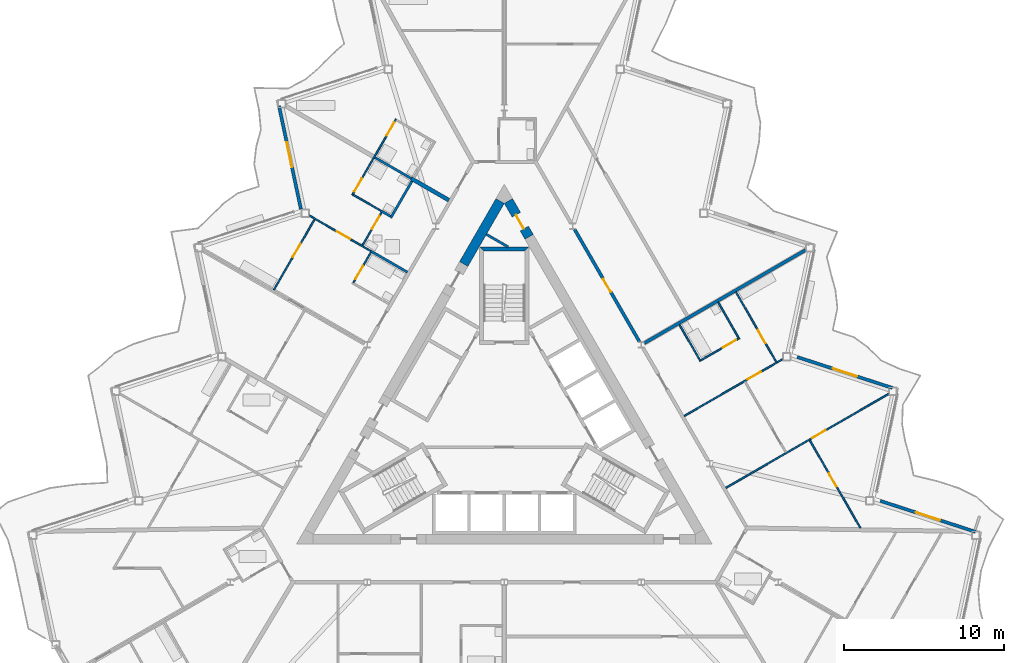
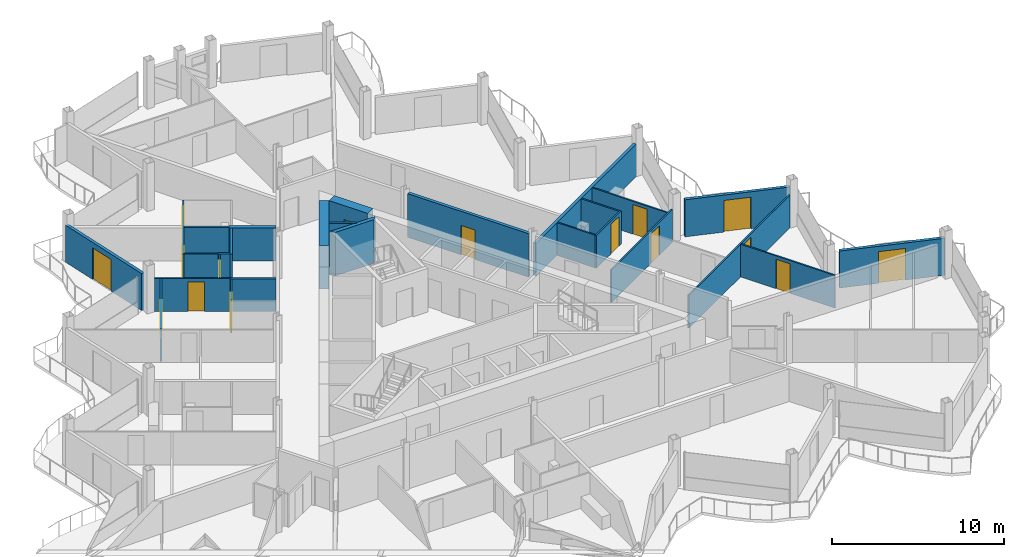
# One storey, part 16 of 26: 27 walls, 16 doors, 16 openings.
"""IFC4 building model written with IfcOpenShell, lengths in metres."""

from ifc_helpers import new_model, si_unit, direction, frame, frame_2d, origin, place, context, subcontext, project, spatial, polyline, rectangle, outline, extrude, material, layer, layer_set, type_object, element, fill, save


model = new_model("IFC4")

# Units and contexts
model_context = context("Model", 3, precision=1e-05, world=origin(), true_north=direction((0.0, 1.0)))
body_context = subcontext(model_context, "Body", "Model", "MODEL_VIEW")
ifc_project = project(units=[si_unit("LENGTHUNIT", "METRE"), si_unit("AREAUNIT", "SQUARE_METRE"), si_unit("VOLUMEUNIT", "CUBIC_METRE"), si_unit("PLANEANGLEUNIT", "RADIAN"), si_unit("MASSUNIT", "GRAM", prefix="KILO")], contexts=[model_context])

# Site, building, storey
site_placement = place(None, origin())
site = spatial("IfcSite", under=ifc_project, at=site_placement, CompositionType="ELEMENT")
building_placement = place(site_placement, origin())
building = spatial("IfcBuilding", under=site, at=building_placement, Name="Cormorant Prow Tower", CompositionType="ELEMENT")
storey_placement = place(building_placement, frame((0.0, 0.0, 388.199951171875)))
storey = spatial("IfcBuildingStorey", under=building, at=storey_placement, Name="L88", CompositionType="ELEMENT", Elevation=388.199951171875)

# Walls
ifc_material_1 = material(Name="Gypsum board partition")
ifc_layer_1 = layer(ifc_material_1, 0.14990234375)
ifc_layer_set_1 = layer_set([ifc_layer_1], Name="Gypsum board partition")
wall_type_1 = type_object("IfcWallType", Name="Core partition 150", PredefinedType="PARTITIONING", material=ifc_layer_set_1)
wall_1_placement = place(storey_placement, frame((-1.119140625, 11.872802734375, 0.0), z_axis=(0.0, 0.0, 1.0), x_axis=(0.865992812752, -0.500056445075, 0.0)))
element("IfcWall", 1, at=wall_1_placement, inside=storey, type_object=wall_type_1, Name="Service room partition", PredefinedType="PARTITIONING", context=body_context, shape_type="SweptSolid", body=[
    extrude(rectangle(XDim=1.581787109375, YDim=0.14990234375, at=frame_2d((0.791015625, 0.0))), origin(), (0.0, 0.0, 1.0), 3.10009765625),
])
ifc_material_2 = material(Name="Concrete 8000 psi", Category="concrete")
ifc_layer_2 = layer(ifc_material_2, 0.60009765625)
ifc_layer_set_2 = layer_set([ifc_layer_2], Name="Concrete 8000 psi")
wall_type_2 = type_object("IfcWallType", Name="Core shear wall 600", PredefinedType="SHEAR", material=ifc_layer_set_2)
wall_2_placement = place(storey_placement, frame((-0.259765625, 13.961181640625, 0.0), z_axis=(0.0, 0.0, 1.0), x_axis=(-0.499980485389, -0.866036670257, 0.0)))
element("IfcWall", 2, at=wall_2_placement, inside=storey, type_object=wall_type_2, Name="Core wall", PredefinedType="SHEAR", context=body_context, shape_type="SweptSolid", body=[
    extrude(rectangle(XDim=4.559326171875, YDim=0.60009765625, at=frame_2d((2.27978515625, 0.0))), origin(), (0.0, 0.0, 1.0), 3.10009765625),
])

# Wall, opening, door
wall_3_placement = place(storey_placement, frame((1.555908203125, 11.71630859375, 0.0), z_axis=(0.0, 0.0, 1.0), x_axis=(-0.500018667571, 0.866014625789, 0.0)))
wall_3 = element("IfcWall", 3, at=wall_3_placement, inside=storey, type_object=wall_type_2, Name="Core wall door panel", PredefinedType="SHEAR", context=body_context, shape_type="SweptSolid", body=[
    extrude(rectangle(XDim=2.59228515625, YDim=0.60009765625, at=frame_2d((1.296142578125, 0.0))), origin(), (0.0, 0.0, 1.0), 3.10009765625),
])
opening_1_placement = place(wall_3_placement, frame((0.60009765625, 0.0, 0.0)))
opening_1 = element("IfcOpeningElement", 4, at=opening_1_placement, cuts=wall_3, Name="Opening L88-C20", PredefinedType="OPENING", context=body_context, shape_type="SweptSolid", body=[
    extrude(rectangle(XDim=1.0, YDim=2.10009765625, at=frame_2d((0.5, 1.050048828125))), frame((0.0, 0.31005859375, 0.0), z_axis=(0.0, -1.0, 0.0), x_axis=(1.0, 0.0, 0.0)), (0.0, 0.0, 1.0), 0.6201171875),
])
ifc_material_3 = material(Name="Painted steel", Category="steel")
door_type_1 = type_object("IfcDoorType", Name="Service door 1000x2100", OperationType="NOTDEFINED", PredefinedType="DOOR", material=ifc_material_3)
door_1_placement = place(opening_1_placement, origin())
door_1 = element("IfcDoor", 5, at=door_1_placement, inside=storey, type_object=door_type_1, Name="Core door, Pantry store", OperationType="SINGLE_SWING_RIGHT", OverallHeight=2.10009765625, OverallWidth=1.0, PredefinedType="DOOR", context=body_context, shape_type="SweptSolid", body=[
    extrude(rectangle(XDim=1.0, YDim=2.10009765625, at=frame_2d((0.5, 1.050048828125))), frame((0.0, 0.05517578125, 0.0), z_axis=(0.0, -1.0, 0.0), x_axis=(1.0, 0.0, 0.0)), (0.0, 0.0, 1.0), 0.050048828125),
])
fill(opening_1, door_1)

ifc_material_4 = material(Name="Gypsum board corridor wall")
ifc_layer_3 = layer(ifc_material_4, 0.199951171875)
ifc_layer_set_3 = layer_set([ifc_layer_3], Name="Gypsum board corridor wall")
wall_type_3 = type_object("IfcWallType", Name="Corridor wall 200", PredefinedType="PARTITIONING", material=ifc_layer_set_3)
wall_4_placement = place(storey_placement, frame((4.403076171875, 12.184814453125, 0.0), z_axis=(0.0, 0.0, 1.0), x_axis=(0.499992155518, -0.866029932751, 0.0)))
wall_4 = element("IfcWall", 6, at=wall_4_placement, inside=storey, type_object=wall_type_3, Name="Corridor wall", PredefinedType="PARTITIONING", context=body_context, shape_type="SweptSolid", body=[
    extrude(rectangle(XDim=8.123291015625, YDim=0.199951171875, at=frame_2d((4.0615234375, 0.0))), origin(), (0.0, 0.0, 1.0), 3.10009765625),
])
opening_2_placement = place(wall_4_placement, frame((3.586669921875, 0.0, 0.0)))
opening_2 = element("IfcOpeningElement", 7, at=opening_2_placement, cuts=wall_4, Name="Opening L88-F23", PredefinedType="OPENING", context=body_context, shape_type="SweptSolid", body=[
    extrude(rectangle(XDim=0.949951171875, YDim=2.10009765625, at=frame_2d((0.47509765625, 1.050048828125))), frame((0.0, 0.10986328125, 0.0), z_axis=(0.0, -1.0, 0.0), x_axis=(1.0, 0.0, 0.0)), (0.0, 0.0, 1.0), 0.219970703125),
])
ifc_material_5 = material(Name="Timber door leaf", Category="wood")
door_type_2 = type_object("IfcDoorType", Name="Store door 950x2100", OperationType="NOTDEFINED", PredefinedType="DOOR", material=ifc_material_5)
door_2_placement = place(opening_2_placement, origin())
door_2 = element("IfcDoor", 8, at=door_2_placement, inside=storey, type_object=door_type_2, Name="Refuse room door", OperationType="SINGLE_SWING_LEFT", OverallHeight=2.10009765625, OverallWidth=0.949951171875, PredefinedType="DOOR", context=body_context, shape_type="SweptSolid", body=[
    extrude(rectangle(XDim=0.949951171875, YDim=2.10009765625, at=frame_2d((0.47509765625, 1.050048828125))), frame((0.0, 0.02490234375, 0.0), z_axis=(0.0, -1.0, 0.0), x_axis=(1.0, 0.0, 0.0)), (0.0, 0.0, 1.0), 0.050048828125),
])
fill(opening_2, door_2)

# Wall
ifc_material_6 = material(Name="Gypsum board demising wall")
ifc_layer_4 = layer(ifc_material_6, 0.199951171875)
ifc_layer_set_4 = layer_set([ifc_layer_4], Name="Gypsum board demising wall")
wall_type_4 = type_object("IfcWallType", Name="Demising wall 200", PredefinedType="PARTITIONING", material=ifc_layer_set_4)
wall_5_placement = place(storey_placement, frame((8.775390625, 5.06640625, 0.0), z_axis=(0.0, 0.0, 1.0), x_axis=(0.866023724155, 0.500002909193, 0.0)))
element("IfcWall", 9, at=wall_5_placement, inside=storey, type_object=wall_type_4, Name="Demising wall", PredefinedType="PARTITIONING", context=body_context, shape_type="SweptSolid", body=[
    extrude(rectangle(XDim=11.65478515625, YDim=0.199951171875, at=frame_2d((5.827392578125, 0.0))), origin(), (0.0, 0.0, 1.0), 2.330078125),
])

# Wall, opening, door
ifc_material_7 = material(Name="Gypsum board partition")
ifc_layer_5 = layer(ifc_material_7, 0.10009765625)
ifc_layer_set_5 = layer_set([ifc_layer_5], Name="Gypsum board partition")
wall_type_5 = type_object("IfcWallType", Name="Internal partition 100", PredefinedType="PARTITIONING", material=ifc_layer_set_5)
wall_6_placement = place(storey_placement, frame((13.864990234375, -4.00390625, 0.0), z_axis=(0.0, 0.0, 1.0), x_axis=(0.866023404247, 0.500003463284, 0.0)))
wall_6 = element("IfcWall", 10, at=wall_6_placement, inside=storey, type_object=wall_type_5, Name="Internal partition", PredefinedType="PARTITIONING", context=body_context, shape_type="SweptSolid", body=[
    extrude(rectangle(XDim=11.7822265625, YDim=0.10009765625, at=frame_2d((5.89111328125, 0.0))), origin(), (0.0, 0.0, 1.0), 2.330078125),
])
opening_3_placement = place(wall_6_placement, frame((6.2685546875, 0.0, 0.0)))
opening_3 = element("IfcOpeningElement", 11, at=opening_3_placement, cuts=wall_6, Name="Opening L88-F21", PredefinedType="OPENING", context=body_context, shape_type="SweptSolid", body=[
    extrude(rectangle(XDim=0.949951171875, YDim=2.10009765625, at=frame_2d((0.47509765625, 1.050048828125))), frame((0.0, 0.06005859375, 0.0), z_axis=(0.0, -1.0, 0.0), x_axis=(1.0, 0.0, 0.0)), (0.0, 0.0, 1.0), 0.1201171875),
])
ifc_material_8 = material(Name="Timber door leaf", Category="wood")
door_type_3 = type_object("IfcDoorType", Name="Bathroom door 950x2100", OperationType="NOTDEFINED", PredefinedType="DOOR", material=ifc_material_8)
door_3_placement = place(opening_3_placement, origin())
door_3 = element("IfcDoor", 12, at=door_3_placement, inside=storey, type_object=door_type_3, Name="Bedroom door", OperationType="SINGLE_SWING_LEFT", OverallHeight=2.10009765625, OverallWidth=0.949951171875, PredefinedType="DOOR", context=body_context, shape_type="SweptSolid", body=[
    extrude(rectangle(XDim=0.949951171875, YDim=2.10009765625, at=frame_2d((0.47509765625, 1.050048828125))), frame((0.0, 0.02490234375, 0.0), z_axis=(0.0, -1.0, 0.0), x_axis=(1.0, 0.0, 0.0)), (0.0, 0.0, 1.0), 0.050048828125),
])
fill(opening_3, door_3)

wall_7_placement = place(storey_placement, frame((11.26513671875, 0.49951171875, 0.0), z_axis=(0.0, 0.0, 1.0), x_axis=(0.866033839264, 0.499985389037, 0.0)))
wall_7 = element("IfcWall", 13, at=wall_7_placement, inside=storey, type_object=wall_type_5, Name="Internal partition", PredefinedType="PARTITIONING", context=body_context, shape_type="SweptSolid", body=[
    extrude(rectangle(XDim=7.099853515625, YDim=0.10009765625, at=frame_2d((3.5498046875, 0.0))), origin(), (0.0, 0.0, 1.0), 2.330078125),
])
opening_4_placement = place(wall_7_placement, frame((4.58837890625, 0.0, 0.0)))
opening_4 = element("IfcOpeningElement", 14, at=opening_4_placement, cuts=wall_7, Name="Opening L88-F19", PredefinedType="OPENING", context=body_context, shape_type="SweptSolid", body=[
    extrude(rectangle(XDim=0.949951171875, YDim=2.10009765625, at=frame_2d((0.47509765625, 1.050048828125))), frame((0.0, 0.06005859375, 0.0), z_axis=(0.0, -1.0, 0.0), x_axis=(1.0, 0.0, 0.0)), (0.0, 0.0, 1.0), 0.1201171875),
])
door_4_placement = place(opening_4_placement, origin())
door_4 = element("IfcDoor", 15, at=door_4_placement, inside=storey, type_object=door_type_3, Name="Living room door", OperationType="SINGLE_SWING_LEFT", OverallHeight=2.10009765625, OverallWidth=0.949951171875, PredefinedType="DOOR", context=body_context, shape_type="SweptSolid", body=[
    extrude(rectangle(XDim=0.949951171875, YDim=2.10009765625, at=frame_2d((0.47509765625, 1.050048828125))), frame((0.0, 0.02490234375, 0.0), z_axis=(0.0, -1.0, 0.0), x_axis=(1.0, 0.0, 0.0)), (0.0, 0.0, 1.0), 0.050048828125),
])
fill(opening_4, door_4)

wall_8_placement = place(storey_placement, frame((19.12841796875, -1.022705078125, 0.0), z_axis=(0.0, 0.0, 1.0), x_axis=(0.499991387631, -0.866030376081, 0.0)))
wall_8 = element("IfcWall", 16, at=wall_8_placement, inside=storey, type_object=wall_type_5, Name="Internal partition", PredefinedType="PARTITIONING", context=body_context, shape_type="SweptSolid", body=[
    extrude(rectangle(XDim=6.3388671875, YDim=0.10009765625, at=frame_2d((3.16943359375, 0.0))), origin(), (0.0, 0.0, 1.0), 2.330078125),
])
opening_5_placement = place(wall_8_placement, frame((2.388916015625, 0.0, 0.0)))
opening_5 = element("IfcOpeningElement", 17, at=opening_5_placement, cuts=wall_8, Name="Opening L88-F22", PredefinedType="OPENING", context=body_context, shape_type="SweptSolid", body=[
    extrude(rectangle(XDim=0.949951171875, YDim=2.10009765625, at=frame_2d((0.47509765625, 1.050048828125))), frame((0.0, 0.06005859375, 0.0), z_axis=(0.0, -1.0, 0.0), x_axis=(1.0, 0.0, 0.0)), (0.0, 0.0, 1.0), 0.1201171875),
])
door_5_placement = place(opening_5_placement, origin())
door_5 = element("IfcDoor", 18, at=door_5_placement, inside=storey, type_object=door_type_3, Name="Bedroom door", OperationType="SINGLE_SWING_LEFT", OverallHeight=2.10009765625, OverallWidth=0.949951171875, PredefinedType="DOOR", context=body_context, shape_type="SweptSolid", body=[
    extrude(rectangle(XDim=0.949951171875, YDim=2.10009765625, at=frame_2d((0.47509765625, 1.050048828125))), frame((0.0, 0.02490234375, 0.0), z_axis=(0.0, -1.0, 0.0), x_axis=(1.0, 0.0, 0.0)), (0.0, 0.0, 1.0), 0.050048828125),
])
fill(opening_5, door_5)

# Wall, openings, doors
wall_9_placement = place(storey_placement, frame((-9.5166015625, 14.327880859375, 0.0), z_axis=(0.0, 0.0, 1.0), x_axis=(0.499996545922, 0.866027397988, 0.0)))
wall_9 = element("IfcWall", 19, at=wall_9_placement, inside=storey, type_object=wall_type_5, Name="Internal partition", PredefinedType="PARTITIONING", context=body_context, shape_type="SweptSolid", body=[
    extrude(rectangle(XDim=5.5, YDim=0.10009765625, at=frame_2d((2.75, 0.0))), origin(), (0.0, 0.0, 1.0), 2.330078125),
])
opening_6_placement = place(wall_9_placement, frame((4.300048828125, 0.0, 0.0)))
opening_6 = element("IfcOpeningElement", 20, at=opening_6_placement, cuts=wall_9, Name="Opening L88-F32", PredefinedType="OPENING", context=body_context, shape_type="SweptSolid", body=[
    extrude(rectangle(XDim=0.949951171875, YDim=2.10009765625, at=frame_2d((0.47509765625, 1.050048828125))), frame((0.0, 0.06005859375, 0.0), z_axis=(0.0, -1.0, 0.0), x_axis=(1.0, 0.0, 0.0)), (0.0, 0.0, 1.0), 0.1201171875),
])
opening_7_placement = place(wall_9_placement, frame((0.25, 0.0, 0.0)))
opening_7 = element("IfcOpeningElement", 21, at=opening_7_placement, cuts=wall_9, Name="Opening L88-F40", PredefinedType="OPENING", context=body_context, shape_type="SweptSolid", body=[
    extrude(rectangle(XDim=0.949951171875, YDim=2.10009765625, at=frame_2d((0.47509765625, 1.050048828125))), frame((0.0, 0.06005859375, 0.0), z_axis=(0.0, -1.0, 0.0), x_axis=(1.0, 0.0, 0.0)), (0.0, 0.0, 1.0), 0.1201171875),
])
door_6_placement = place(opening_6_placement, origin())
door_6 = element("IfcDoor", 22, at=door_6_placement, inside=storey, type_object=door_type_3, Name="Studio living, kitchen and sleeping room door", OperationType="SINGLE_SWING_RIGHT", OverallHeight=2.10009765625, OverallWidth=0.949951171875, PredefinedType="DOOR", context=body_context, shape_type="SweptSolid", body=[
    extrude(rectangle(XDim=0.949951171875, YDim=2.10009765625, at=frame_2d((0.47509765625, 1.050048828125))), frame((0.0, 0.02490234375, 0.0), z_axis=(0.0, -1.0, 0.0), x_axis=(1.0, 0.0, 0.0)), (0.0, 0.0, 1.0), 0.050048828125),
])
fill(opening_6, door_6)
door_7_placement = place(opening_7_placement, origin())
door_7 = element("IfcDoor", 23, at=door_7_placement, inside=storey, type_object=door_type_3, Name="Bedroom door", OperationType="SINGLE_SWING_LEFT", OverallHeight=2.10009765625, OverallWidth=0.949951171875, PredefinedType="DOOR", context=body_context, shape_type="SweptSolid", body=[
    extrude(rectangle(XDim=0.949951171875, YDim=2.10009765625, at=frame_2d((0.47509765625, 1.050048828125))), frame((0.0, 0.02490234375, 0.0), z_axis=(0.0, -1.0, 0.0), x_axis=(1.0, 0.0, 0.0)), (0.0, 0.0, 1.0), 0.050048828125),
])
fill(opening_7, door_7)

# Wall, opening, door
wall_10_placement = place(storey_placement, frame((14.503173828125, 8.258056640625, 0.0), z_axis=(0.0, 0.0, 1.0), x_axis=(0.500012591307, -0.866018134068, 0.0)))
wall_10 = element("IfcWall", 24, at=wall_10_placement, inside=storey, type_object=wall_type_5, Name="Internal partition", PredefinedType="PARTITIONING", context=body_context, shape_type="SweptSolid", body=[
    extrude(rectangle(XDim=5.050048828125, YDim=0.10009765625, at=frame_2d((2.52490234375, 0.0))), origin(), (0.0, 0.0, 1.0), 2.330078125),
])
opening_8_placement = place(wall_10_placement, frame((2.75, 0.0, 0.0)))
opening_8 = element("IfcOpeningElement", 25, at=opening_8_placement, cuts=wall_10, Name="Opening L88-F18", PredefinedType="OPENING", context=body_context, shape_type="SweptSolid", body=[
    extrude(rectangle(XDim=0.949951171875, YDim=2.10009765625, at=frame_2d((0.47509765625, 1.050048828125))), frame((0.0, 0.06005859375, 0.0), z_axis=(0.0, -1.0, 0.0), x_axis=(1.0, 0.0, 0.0)), (0.0, 0.0, 1.0), 0.1201171875),
])
door_8_placement = place(opening_8_placement, origin())
door_8 = element("IfcDoor", 26, at=door_8_placement, inside=storey, type_object=door_type_3, Name="Living room door", OperationType="SINGLE_SWING_RIGHT", OverallHeight=2.10009765625, OverallWidth=0.949951171875, PredefinedType="DOOR", context=body_context, shape_type="SweptSolid", body=[
    extrude(rectangle(XDim=0.949951171875, YDim=2.10009765625, at=frame_2d((0.47509765625, 1.050048828125))), frame((0.0, 0.02490234375, 0.0), z_axis=(0.0, -1.0, 0.0), x_axis=(1.0, 0.0, 0.0)), (0.0, 0.0, 1.0), 0.050048828125),
])
fill(opening_8, door_8)

wall_11_placement = place(storey_placement, frame((-14.42822265625, 8.387939453125, 0.0), z_axis=(0.0, 0.0, 1.0), x_axis=(0.500005610874, 0.86602216432, 0.0)))
wall_11 = element("IfcWall", 27, at=wall_11_placement, inside=storey, type_object=wall_type_5, Name="Internal partition", PredefinedType="PARTITIONING", context=body_context, shape_type="SweptSolid", body=[
    extrude(rectangle(XDim=5.10009765625, YDim=0.10009765625, at=frame_2d((2.550048828125, 0.0))), origin(), (0.0, 0.0, 1.0), 2.330078125),
])
opening_9_placement = place(wall_11_placement, frame((2.379150390625, 0.0, 0.0)))
opening_9 = element("IfcOpeningElement", 28, at=opening_9_placement, cuts=wall_11, Name="Opening L88-F35", PredefinedType="OPENING", context=body_context, shape_type="SweptSolid", body=[
    extrude(rectangle(XDim=0.949951171875, YDim=2.10009765625, at=frame_2d((0.47509765625, 1.050048828125))), frame((0.0, 0.06005859375, 0.0), z_axis=(0.0, -1.0, 0.0), x_axis=(1.0, 0.0, 0.0)), (0.0, 0.0, 1.0), 0.1201171875),
])
door_9_placement = place(opening_9_placement, origin())
door_9 = element("IfcDoor", 29, at=door_9_placement, inside=storey, type_object=door_type_3, Name="Living room door", OperationType="SINGLE_SWING_LEFT", OverallHeight=2.10009765625, OverallWidth=0.949951171875, PredefinedType="DOOR", context=body_context, shape_type="SweptSolid", body=[
    extrude(rectangle(XDim=0.949951171875, YDim=2.10009765625, at=frame_2d((0.47509765625, 1.050048828125))), frame((0.0, 0.02490234375, 0.0), z_axis=(0.0, -1.0, 0.0), x_axis=(1.0, 0.0, 0.0)), (0.0, 0.0, 1.0), 0.050048828125),
])
fill(opening_9, door_9)

wall_12_placement = place(storey_placement, frame((-12.2138671875, 13.05615234375, 0.0), z_axis=(0.0, 0.0, 1.0), x_axis=(0.866017452598, -0.500013771606, 0.0)))
wall_12 = element("IfcWall", 30, at=wall_12_placement, inside=storey, type_object=wall_type_5, Name="Internal partition", PredefinedType="PARTITIONING", context=body_context, shape_type="SweptSolid", body=[
    extrude(rectangle(XDim=4.42529296875, YDim=0.10009765625, at=frame_2d((2.212646484375, 0.0))), origin(), (0.0, 0.0, 1.0), 2.330078125),
])
opening_10_placement = place(wall_12_placement, frame((1.993896484375, 0.0, 0.0)))
opening_10 = element("IfcOpeningElement", 31, at=opening_10_placement, cuts=wall_12, Name="Opening L88-F36", PredefinedType="OPENING", context=body_context, shape_type="SweptSolid", body=[
    extrude(rectangle(XDim=0.949951171875, YDim=2.10009765625, at=frame_2d((0.47509765625, 1.050048828125))), frame((0.0, 0.06005859375, 0.0), z_axis=(0.0, -1.0, 0.0), x_axis=(1.0, 0.0, 0.0)), (0.0, 0.0, 1.0), 0.1201171875),
])
door_10_placement = place(opening_10_placement, origin())
door_10 = element("IfcDoor", 32, at=door_10_placement, inside=storey, type_object=door_type_3, Name="Living room door", OperationType="SINGLE_SWING_RIGHT", OverallHeight=2.10009765625, OverallWidth=0.949951171875, PredefinedType="DOOR", context=body_context, shape_type="SweptSolid", body=[
    extrude(rectangle(XDim=0.949951171875, YDim=2.10009765625, at=frame_2d((0.47509765625, 1.050048828125))), frame((0.0, 0.02490234375, 0.0), z_axis=(0.0, -1.0, 0.0), x_axis=(1.0, 0.0, 0.0)), (0.0, 0.0, 1.0), 0.050048828125),
])
fill(opening_10, door_10)

wall_13_placement = place(storey_placement, frame((12.223388671875, 3.939453125, 0.0), z_axis=(0.0, 0.0, 1.0), x_axis=(0.866032775405, 0.499987231761, 0.0)))
wall_13 = element("IfcWall", 33, at=wall_13_placement, inside=storey, type_object=wall_type_5, Name="Internal partition", PredefinedType="PARTITIONING", context=body_context, shape_type="SweptSolid", body=[
    extrude(rectangle(XDim=2.89990234375, YDim=0.10009765625, at=frame_2d((1.449951171875, 0.0))), origin(), (0.0, 0.0, 1.0), 2.330078125),
])
opening_11_placement = place(wall_13_placement, frame((1.699951171875, 0.0, 0.0)))
opening_11 = element("IfcOpeningElement", 34, at=opening_11_placement, cuts=wall_13, Name="Opening L88-F17", PredefinedType="OPENING", context=body_context, shape_type="SweptSolid", body=[
    extrude(rectangle(XDim=0.949951171875, YDim=2.10009765625, at=frame_2d((0.47509765625, 1.050048828125))), frame((0.0, 0.06005859375, 0.0), z_axis=(0.0, -1.0, 0.0), x_axis=(1.0, 0.0, 0.0)), (0.0, 0.0, 1.0), 0.1201171875),
])
door_11_placement = place(opening_11_placement, origin())
door_11 = element("IfcDoor", 35, at=door_11_placement, inside=storey, type_object=door_type_3, Name="Living room door", OperationType="SINGLE_SWING_RIGHT", OverallHeight=2.10009765625, OverallWidth=0.949951171875, PredefinedType="DOOR", context=body_context, shape_type="SweptSolid", body=[
    extrude(rectangle(XDim=0.949951171875, YDim=2.10009765625, at=frame_2d((0.47509765625, 1.050048828125))), frame((0.0, 0.02490234375, 0.0), z_axis=(0.0, -1.0, 0.0), x_axis=(1.0, 0.0, 0.0)), (0.0, 0.0, 1.0), 0.050048828125),
])
fill(opening_11, door_11)

# Walls
for number, where, z_axis, x_axis, name in (
    (36, (10.966796875, 6.21630859375, 0.0), (0.0, 0.0, 1.0), (0.499948979701, -0.866054858364, 0.0), "Internal partition"),
    (37, (13.3916015625, 7.6162109375, 0.0), (0.0, 0.0, 1.0), (0.499948979701, -0.866054858364, 0.0), "Internal partition"),
):
    element("IfcWall", number, at=place(storey_placement, frame(where, z_axis=z_axis, x_axis=x_axis)), inside=storey, type_object=wall_type_5, Name=name, PredefinedType="PARTITIONING", context=body_context, shape_type="SweptSolid", body=[
        extrude(rectangle(XDim=2.550048828125, YDim=0.10009765625, at=frame_2d((1.27490234375, 0.0))), origin(), (0.0, 0.0, 1.0), 2.330078125),
    ])

# Wall, opening, door
wall_14_placement = place(storey_placement, frame((-8.871826171875, 11.184326171875, 0.0), z_axis=(0.0, 0.0, 1.0), x_axis=(0.499986429846, 0.866033238375, 0.0)))
wall_14 = element("IfcWall", 38, at=wall_14_placement, inside=storey, type_object=wall_type_5, Name="Internal partition", PredefinedType="PARTITIONING", context=body_context, shape_type="SweptSolid", body=[
    extrude(rectangle(XDim=2.375, YDim=0.10009765625, at=frame_2d((1.1875, 0.0))), origin(), (0.0, 0.0, 1.0), 2.330078125),
])
opening_12_placement = place(wall_14_placement, frame((1.175048828125, 0.0, 0.0)))
opening_12 = element("IfcOpeningElement", 39, at=opening_12_placement, cuts=wall_14, Name="Opening L88-F37", PredefinedType="OPENING", context=body_context, shape_type="SweptSolid", body=[
    extrude(rectangle(XDim=0.949951171875, YDim=2.10009765625, at=frame_2d((0.47509765625, 1.050048828125))), frame((0.0, 0.06005859375, 0.0), z_axis=(0.0, -1.0, 0.0), x_axis=(1.0, 0.0, 0.0)), (0.0, 0.0, 1.0), 0.1201171875),
])
door_12_placement = place(opening_12_placement, origin())
door_12 = element("IfcDoor", 40, at=door_12_placement, inside=storey, type_object=door_type_3, Name="Bedroom door", OperationType="SINGLE_SWING_RIGHT", OverallHeight=2.10009765625, OverallWidth=0.949951171875, PredefinedType="DOOR", context=body_context, shape_type="SweptSolid", body=[
    extrude(rectangle(XDim=0.949951171875, YDim=2.10009765625, at=frame_2d((0.47509765625, 1.050048828125))), frame((0.0, 0.02490234375, 0.0), z_axis=(0.0, -1.0, 0.0), x_axis=(1.0, 0.0, 0.0)), (0.0, 0.0, 1.0), 0.050048828125),
])
fill(opening_12, door_12)

wall_15_placement = place(storey_placement, frame((-9.441650390625, 8.857666015625, 0.0), z_axis=(0.0, 0.0, 1.0), x_axis=(0.499978335414, 0.866037911478, 0.0)))
wall_15 = element("IfcWall", 41, at=wall_15_placement, inside=storey, type_object=wall_type_5, Name="Internal partition", PredefinedType="PARTITIONING", context=body_context, shape_type="SweptSolid", body=[
    extrude(rectangle(XDim=2.1748046875, YDim=0.10009765625, at=frame_2d((1.08740234375, 0.0))), origin(), (0.0, 0.0, 1.0), 2.330078125),
])
opening_13_placement = place(wall_15_placement, frame((0.25, 0.0, 0.0)))
opening_13 = element("IfcOpeningElement", 42, at=opening_13_placement, cuts=wall_15, Name="Opening L88-F34", PredefinedType="OPENING", context=body_context, shape_type="SweptSolid", body=[
    extrude(rectangle(XDim=0.949951171875, YDim=2.10009765625, at=frame_2d((0.47509765625, 1.050048828125))), frame((0.0, 0.06005859375, 0.0), z_axis=(0.0, -1.0, 0.0), x_axis=(1.0, 0.0, 0.0)), (0.0, 0.0, 1.0), 0.1201171875),
])
door_13_placement = place(opening_13_placement, origin())
door_13 = element("IfcDoor", 43, at=door_13_placement, inside=storey, type_object=door_type_3, Name="Living room door", OperationType="SINGLE_SWING_LEFT", OverallHeight=2.10009765625, OverallWidth=0.949951171875, PredefinedType="DOOR", context=body_context, shape_type="SweptSolid", body=[
    extrude(rectangle(XDim=0.949951171875, YDim=2.10009765625, at=frame_2d((0.47509765625, 1.050048828125))), frame((0.0, 0.02490234375, 0.0), z_axis=(0.0, -1.0, 0.0), x_axis=(1.0, 0.0, 0.0)), (0.0, 0.0, 1.0), 0.050048828125),
])
fill(opening_13, door_13)

# Walls
wall_16_placement = place(storey_placement, frame((-9.4482421875, 14.34619140625, 0.0), z_axis=(0.0, 0.0, 1.0), x_axis=(0.866020521143, -0.500008456887, 0.0)))
element("IfcWall", 44, at=wall_16_placement, inside=storey, type_object=wall_type_5, Name="Internal partition", PredefinedType="PARTITIONING", context=body_context, shape_type="SweptSolid", body=[
    extrude(rectangle(XDim=1.9951171875, YDim=0.10009765625, at=frame_2d((0.99755859375, 0.0))), origin(), (0.0, 0.0, 1.0), 2.330078125),
])
ifc_material_9 = material(Name="Concrete 8000 psi", Category="concrete")
ifc_layer_6 = layer(ifc_material_9, 0.25)
ifc_layer_set_6 = layer_set([ifc_layer_6], Name="Concrete 8000 psi")
wall_type_6 = type_object("IfcWallType", Name="Stair wall 250", PredefinedType="SHEAR", material=ifc_layer_set_6)
wall_17_placement = place(storey_placement, origin())
element("IfcWall", 45, at=wall_17_placement, inside=storey, type_object=wall_type_6, Name="Stair ST3 enclosure wall (end)", PredefinedType="SHEAR", context=body_context, shape_type="SweptSolid", body=[
    extrude(outline(polyline([(1.5439453125, 11.0869140625), (-1.5439453125, 11.0869140625), (-1.2939453125, 10.8369140625), (1.2939453125, 10.8369140625), (1.5439453125, 11.0869140625)])), origin(), (0.0, 0.0, 1.0), 3.10009765625),
])
ifc_material_10 = material(Name="Acoustic gypsum party wall")
ifc_layer_7 = layer(ifc_material_10, 0.25)
ifc_layer_set_7 = layer_set([ifc_layer_7], Name="Acoustic gypsum party wall")
wall_type_7 = type_object("IfcWallType", Name="Suite party wall 250", PredefinedType="PARTITIONING", material=ifc_layer_set_7)
wall_18_placement = place(storey_placement, frame((-5.824951171875, 15.371826171875, 0.0), z_axis=(0.0, 0.0, 1.0), x_axis=(0.866051307416, -0.49995513091, 0.0)))
element("IfcWall", 46, at=wall_18_placement, inside=storey, type_object=wall_type_7, Name="Suite party wall", PredefinedType="PARTITIONING", context=body_context, shape_type="SweptSolid", body=[
    extrude(rectangle(XDim=2.724853515625, YDim=0.25, at=frame_2d((1.3623046875, 0.0))), origin(), (0.0, 0.0, 1.0), 2.330078125),
])

# Wall, opening, door
ifc_material_11 = material(Name="Terracotta", Category="masonry")
ifc_layer_8 = layer(ifc_material_11, 0.199951171875)
ifc_layer_set_8 = layer_set([ifc_layer_8], Name="Terracotta")
wall_type_8 = type_object("IfcWallType", Name="Terracotta jamb wall 200", PredefinedType="SOLIDWALL", material=ifc_layer_set_8)
wall_19_placement = place(storey_placement, frame((29.49951171875, -6.74951171875, 0.0), z_axis=(0.0, 0.0, 1.0), x_axis=(-0.951060123915, 0.309005891041, 0.0)))
wall_19 = element("IfcWall", 47, at=wall_19_placement, inside=storey, type_object=wall_type_8, Name="Terracotta jamb wall ENE01", PredefinedType="SOLIDWALL", context=body_context, shape_type="SweptSolid", body=[
    extrude(rectangle(XDim=6.265380859375, YDim=0.199951171875, at=frame_2d((3.1328125, 0.0))), origin(), (0.0, 0.0, 1.0), 2.634033203125),
])
opening_14_placement = place(wall_19_placement, frame((2.332763671875, 0.0, 0.0)))
opening_14 = element("IfcOpeningElement", 48, at=opening_14_placement, cuts=wall_19, Name="Opening ED88.06", PredefinedType="OPENING", context=body_context, shape_type="SweptSolid", body=[
    extrude(rectangle(XDim=1.60009765625, YDim=2.25, at=frame_2d((0.800048828125, 1.125))), frame((0.0, 0.10986328125, 0.0), z_axis=(0.0, -1.0, 0.0), x_axis=(1.0, 0.0, 0.0)), (0.0, 0.0, 1.0), 0.219970703125),
])
ifc_material_12 = material(Name="Aluminium 6063-T6", Category="aluminium")
door_type_4 = type_object("IfcDoorType", Name="Balcony door 1600x2250", OperationType="DOUBLE_DOOR_SINGLE_SWING", PredefinedType="DOOR", material=ifc_material_12)
door_14_placement = place(opening_14_placement, origin())
door_14 = element("IfcDoor", 49, at=door_14_placement, inside=storey, type_object=door_type_4, Name="Balcony door ENE01 ED88.06", OperationType="DOUBLE_DOOR_SINGLE_SWING", OverallHeight=2.25, OverallWidth=1.60009765625, PredefinedType="DOOR", context=body_context, shape_type="SweptSolid", body=[
    extrude(rectangle(XDim=1.60009765625, YDim=2.25, at=frame_2d((0.800048828125, 1.125))), frame((0.0, 0.02490234375, 0.0), z_axis=(0.0, -1.0, 0.0), x_axis=(1.0, 0.0, 0.0)), (0.0, 0.0, 1.0), 0.050048828125),
])
fill(opening_14, door_14)

wall_20_placement = place(storey_placement, frame((24.299560546875, 2.25732421875, 0.0), z_axis=(0.0, 0.0, 1.0), x_axis=(-0.951060123915, 0.309005891041, 0.0)))
wall_20 = element("IfcWall", 50, at=wall_20_placement, inside=storey, type_object=wall_type_8, Name="Terracotta jamb wall ENE03", PredefinedType="SOLIDWALL", context=body_context, shape_type="SweptSolid", body=[
    extrude(rectangle(XDim=6.265380859375, YDim=0.199951171875, at=frame_2d((3.1328125, 0.0))), origin(), (0.0, 0.0, 1.0), 2.634033203125),
])
opening_15_placement = place(wall_20_placement, frame((2.332763671875, 0.0, 0.0)))
opening_15 = element("IfcOpeningElement", 51, at=opening_15_placement, cuts=wall_20, Name="Opening ED88.07", PredefinedType="OPENING", context=body_context, shape_type="SweptSolid", body=[
    extrude(rectangle(XDim=1.60009765625, YDim=2.25, at=frame_2d((0.800048828125, 1.125))), frame((0.0, 0.10986328125, 0.0), z_axis=(0.0, -1.0, 0.0), x_axis=(1.0, 0.0, 0.0)), (0.0, 0.0, 1.0), 0.219970703125),
])
door_15_placement = place(opening_15_placement, origin())
door_15 = element("IfcDoor", 52, at=door_15_placement, inside=storey, type_object=door_type_4, Name="Balcony door ENE03 ED88.07", OperationType="DOUBLE_DOOR_SINGLE_SWING", OverallHeight=2.25, OverallWidth=1.60009765625, PredefinedType="DOOR", context=body_context, shape_type="SweptSolid", body=[
    extrude(rectangle(XDim=1.60009765625, YDim=2.25, at=frame_2d((0.800048828125, 1.125))), frame((0.0, 0.02490234375, 0.0), z_axis=(0.0, -1.0, 0.0), x_axis=(1.0, 0.0, 0.0)), (0.0, 0.0, 1.0), 0.050048828125),
])
fill(opening_15, door_15)

wall_21_placement = place(storey_placement, frame((-14.1044921875, 19.915283203125, 0.0), z_axis=(0.0, 0.0, 1.0), x_axis=(0.207924998532, -0.978144771997, 0.0)))
wall_21 = element("IfcWall", 53, at=wall_21_placement, inside=storey, type_object=wall_type_8, Name="Terracotta jamb wall WNW03", PredefinedType="SOLIDWALL", context=body_context, shape_type="SweptSolid", body=[
    extrude(rectangle(XDim=6.61181640625, YDim=0.199951171875, at=frame_2d((3.305908203125, 0.0))), origin(), (0.0, 0.0, 1.0), 2.634033203125),
])
opening_16_placement = place(wall_21_placement, frame((2.332763671875, 0.0, 0.0)))
opening_16 = element("IfcOpeningElement", 54, at=opening_16_placement, cuts=wall_21, Name="Opening ED88.12", PredefinedType="OPENING", context=body_context, shape_type="SweptSolid", body=[
    extrude(rectangle(XDim=1.60009765625, YDim=2.25, at=frame_2d((0.800048828125, 1.125))), frame((0.0, 0.10986328125, 0.0), z_axis=(0.0, -1.0, 0.0), x_axis=(1.0, 0.0, 0.0)), (0.0, 0.0, 1.0), 0.219970703125),
])
door_16_placement = place(opening_16_placement, origin())
door_16 = element("IfcDoor", 55, at=door_16_placement, inside=storey, type_object=door_type_4, Name="Balcony door WNW03 ED88.12", OperationType="DOUBLE_DOOR_SINGLE_SWING", OverallHeight=2.25, OverallWidth=1.60009765625, PredefinedType="DOOR", context=body_context, shape_type="SweptSolid", body=[
    extrude(rectangle(XDim=1.60009765625, YDim=2.25, at=frame_2d((0.800048828125, 1.125))), frame((0.0, 0.02490234375, 0.0), z_axis=(0.0, -1.0, 0.0), x_axis=(1.0, 0.0, 0.0)), (0.0, 0.0, 1.0), 0.050048828125),
])
fill(opening_16, door_16)

# Walls
ifc_material_13 = material(Name="Plasterboard wet wall with pipe chase")
ifc_layer_9 = layer(ifc_material_13, 0.14990234375)
ifc_layer_set_9 = layer_set([ifc_layer_9], Name="Plasterboard wet wall with pipe chase")
wall_type_9 = type_object("IfcWallType", Name="Wet wall 150", PredefinedType="PLUMBINGWALL", material=ifc_layer_set_9)
wall_22_placement = place(storey_placement, frame((-8.098388671875, 16.684326171875, 0.0), z_axis=(0.0, 0.0, 1.0), x_axis=(0.866036909293, -0.499980071345, 0.0)))
element("IfcWall", 56, at=wall_22_placement, inside=storey, type_object=wall_type_9, Name="Wet wall", PredefinedType="PLUMBINGWALL", context=body_context, shape_type="SweptSolid", body=[
    extrude(rectangle(XDim=2.625, YDim=0.14990234375, at=frame_2d((1.3125, 0.0))), origin(), (0.0, 0.0, 1.0), 2.330078125),
])
wall_23_placement = place(storey_placement, frame((-8.381591796875, 10.843505859375, 0.0), z_axis=(0.0, 0.0, 1.0), x_axis=(0.866021425885, -0.500006889861, 0.0)))
element("IfcWall", 57, at=wall_23_placement, inside=storey, type_object=wall_type_9, Name="Wet wall", PredefinedType="PLUMBINGWALL", context=body_context, shape_type="SweptSolid", body=[
    extrude(rectangle(XDim=2.6748046875, YDim=0.14990234375, at=frame_2d((1.33740234375, 0.0))), origin(), (0.0, 0.0, 1.0), 2.330078125),
])
wall_24_placement = place(storey_placement, frame((-7.104248046875, 12.90625, 0.0), z_axis=(0.0, 0.0, 1.0), x_axis=(0.499993606316, 0.866029095148, 0.0)))
element("IfcWall", 58, at=wall_24_placement, inside=storey, type_object=wall_type_9, Name="Wet wall", PredefinedType="PLUMBINGWALL", context=body_context, shape_type="SweptSolid", body=[
    extrude(rectangle(XDim=2.64990234375, YDim=0.14990234375, at=frame_2d((1.324951171875, 0.0))), origin(), (0.0, 0.0, 1.0), 2.330078125),
])
wall_25_placement = place(storey_placement, frame((-7.720458984375, 13.3486328125, 0.0), z_axis=(0.0, 0.0, 1.0), x_axis=(0.866113839764, -0.499846793097, 0.0)))
element("IfcWall", 59, at=wall_25_placement, inside=storey, type_object=wall_type_9, Name="Wet wall", PredefinedType="PLUMBINGWALL", context=body_context, shape_type="SweptSolid", body=[
    extrude(rectangle(XDim=0.679931640625, YDim=0.14990234375, at=frame_2d((0.33984375, 0.0))), origin(), (0.0, 0.0, 1.0), 2.330078125),
])

save(model, "model.ifc")
